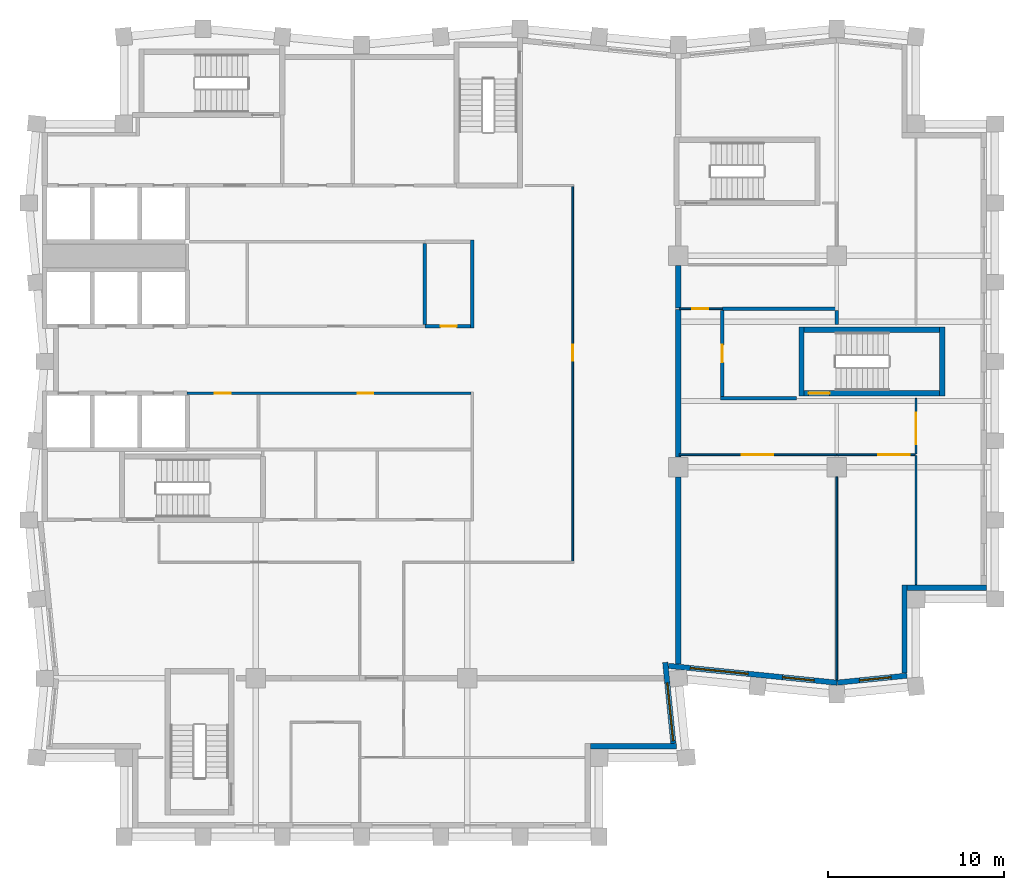
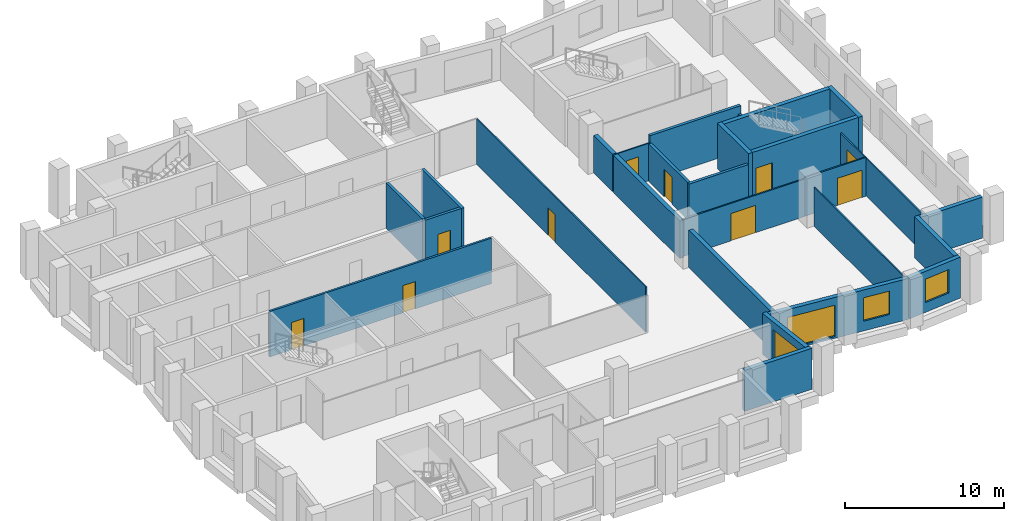
# One storey, part 4 of 7: 28 walls, 10 doors, 4 windows, 14 openings.
"""IFC4 building model written with IfcOpenShell, lengths in metres."""

from ifc_helpers import new_model, si_unit, direction, frame, frame_2d, origin, place, context, subcontext, project, spatial, rectangle, extrude, material, layer, layer_set, type_object, element, fill, save


model = new_model("IFC4")

# Units and contexts
model_context = context("Model", 3, precision=1e-05, world=origin(), true_north=direction((0.0, 1.0)))
body_context = subcontext(model_context, "Body", "Model", "MODEL_VIEW")
ifc_project = project(units=[si_unit("LENGTHUNIT", "METRE"), si_unit("AREAUNIT", "SQUARE_METRE"), si_unit("VOLUMEUNIT", "CUBIC_METRE"), si_unit("PLANEANGLEUNIT", "RADIAN"), si_unit("MASSUNIT", "GRAM", prefix="KILO")], contexts=[model_context])

# Site, building, storey
site_placement = place(None, origin())
site = spatial("IfcSite", under=ifc_project, at=site_placement, CompositionType="ELEMENT")
building_placement = place(site_placement, origin())
building = spatial("IfcBuilding", under=site, at=building_placement, Name="Brondeck Convention Tower", CompositionType="ELEMENT")
storey_placement = place(building_placement, frame((0.0, 0.0, 202.60009765625)))
storey = spatial("IfcBuildingStorey", under=building, at=storey_placement, Name="L49", CompositionType="ELEMENT", Elevation=202.60009765625)

# Walls
ifc_material_1 = material(Name="Concrete compartment wall C30/37", Category="concrete")
ifc_layer_1 = layer(ifc_material_1, 0.300048828125)
ifc_layer_set_1 = layer_set([ifc_layer_1], Name="Compartment wall 300")
wall_type_1 = type_object("IfcWallType", Name="Compartment wall 300", PredefinedType="PARTITIONING", material=ifc_layer_set_1)
wall_1_placement = place(storey_placement, frame((36.0, 27.823974609375, 0.0), z_axis=(0.0, 0.0, 1.0), x_axis=(0.0, 1.0, 0.0)))
element("IfcWall", 1, at=wall_1_placement, inside=storey, type_object=wall_type_1, Name="FLR-L49-W021", PredefinedType="PARTITIONING", context=body_context, shape_type="SweptSolid", body=[
    extrude(rectangle(XDim=10.62109375, YDim=0.300048828125, at=frame_2d((5.310546875, 0.0))), origin(), (0.0, 0.0, 1.0), 2.8798828125),
])
wall_2_placement = place(storey_placement, frame((36.0, 39.570068359375, 0.0), z_axis=(0.0, 0.0, 1.0), x_axis=(0.0, 1.0, 0.0)))
element("IfcWall", 2, at=wall_2_placement, inside=storey, type_object=wall_type_1, Name="FLR-L49-W031", PredefinedType="PARTITIONING", context=body_context, shape_type="SweptSolid", body=[
    extrude(rectangle(XDim=8.3798828125, YDim=0.300048828125, at=frame_2d((4.18994140625, 0.0))), origin(), (0.0, 0.0, 1.0), 2.8798828125),
])
wall_3_placement = place(storey_placement, frame((36.0, 48.050048828125, 0.0), z_axis=(0.0, 0.0, 1.0), x_axis=(0.0, 1.0, 0.0)))
element("IfcWall", 3, at=wall_3_placement, inside=storey, type_object=wall_type_1, Name="FLR-L49-W039", PredefinedType="PARTITIONING", context=body_context, shape_type="SweptSolid", body=[
    extrude(rectangle(XDim=2.39501953125, YDim=0.300048828125, at=frame_2d((1.197509765625, 0.0))), origin(), (0.0, 0.0, 1.0), 2.8798828125),
])
ifc_material_2 = material(Name="Concrete C50/60", Category="concrete")
ifc_layer_2 = layer(ifc_material_2, 0.199951171875)
ifc_layer_set_2 = layer_set([ifc_layer_2], Name="Core beam-seat wall 200 Concrete C50/60")
wall_type_2 = type_object("IfcWallType", Name="Core beam-seat wall 200 Concrete C50/60", PredefinedType="SHEAR", material=ifc_layer_set_2)
wall_4_placement = place(storey_placement, frame((24.300048828125, 46.89990234375, 0.0), z_axis=(0.0, 0.0, 1.0), x_axis=(0.0, 1.0, 0.0)))
element("IfcWall", 4, at=wall_4_placement, inside=storey, type_object=wall_type_2, Name="L49 core wall", PredefinedType="SHEAR", context=body_context, shape_type="SweptSolid", body=[
    extrude(rectangle(XDim=5.0, YDim=0.199951171875, at=frame_2d((2.5, 0.0))), origin(), (0.0, 0.0, 1.0), 3.5),
])

# Wall, openings, doors
ifc_material_3 = material(Name="Fire-rated gypsum board partition")
ifc_layer_3 = layer(ifc_material_3, 0.14990234375)
ifc_layer_set_3 = layer_set([ifc_layer_3], Name="Core partition 150 EI 60")
wall_type_3 = type_object("IfcWallType", Name="Core partition 150 EI 60", PredefinedType="PARTITIONING", material=ifc_layer_set_3)
wall_5_placement = place(storey_placement, frame((8.10009765625, 43.199951171875, 0.0), z_axis=(0.0, 0.0, 1.0), x_axis=(1.0, 0.0, 0.0)))
wall_5 = element("IfcWall", 5, at=wall_5_placement, inside=storey, type_object=wall_type_3, Name="L49 core wall", PredefinedType="PARTITIONING", context=body_context, shape_type="SweptSolid", body=[
    extrude(rectangle(XDim=16.125, YDim=0.14990234375, at=frame_2d((8.0625, 0.0))), origin(), (0.0, 0.0, 1.0), 3.5),
])
opening_1_placement = place(wall_5_placement, frame((1.574951171875, 0.0, 0.0)))
opening_1 = element("IfcOpeningElement", 6, at=opening_1_placement, cuts=wall_5, Name="Opening C28-09", PredefinedType="OPENING", context=body_context, shape_type="SweptSolid", body=[
    extrude(rectangle(XDim=0.89990234375, YDim=2.10009765625, at=frame_2d((0.449951171875, 1.050048828125))), frame((0.0, 0.0849609375, 0.0), z_axis=(0.0, -1.0, 0.0), x_axis=(1.0, 0.0, 0.0)), (0.0, 0.0, 1.0), 0.169921875),
])
opening_2_placement = place(wall_5_placement, frame((9.675048828125, 0.0, 0.0)))
opening_2 = element("IfcOpeningElement", 7, at=opening_2_placement, cuts=wall_5, Name="Opening C28-10", PredefinedType="OPENING", context=body_context, shape_type="SweptSolid", body=[
    extrude(rectangle(XDim=0.89990234375, YDim=2.10009765625, at=frame_2d((0.449951171875, 1.050048828125))), frame((0.0, 0.0849609375, 0.0), z_axis=(0.0, -1.0, 0.0), x_axis=(1.0, 0.0, 0.0)), (0.0, 0.0, 1.0), 0.169921875),
])
ifc_material_4 = material(Name="Steel fire door", Category="steel")
door_type_1 = type_object("IfcDoorType", Name="Room door 900x2100 EI 60", OperationType="NOTDEFINED", PredefinedType="DOOR", material=ifc_material_4)
door_1_placement = place(opening_1_placement, origin())
door_1 = element("IfcDoor", 8, at=door_1_placement, inside=storey, type_object=door_type_1, Name="L49 Room door FZ-S-8.1-1", OperationType="SINGLE_SWING_RIGHT", OverallHeight=2.10009765625, OverallWidth=0.89990234375, PredefinedType="DOOR", context=body_context, shape_type="SweptSolid", body=[
    extrude(rectangle(XDim=0.89990234375, YDim=2.10009765625, at=frame_2d((0.449951171875, 1.050048828125))), frame((0.0, 0.02490234375, 0.0), z_axis=(0.0, -1.0, 0.0), x_axis=(1.0, 0.0, 0.0)), (0.0, 0.0, 1.0), 0.050048828125),
])
fill(opening_1, door_1)
door_2_placement = place(opening_2_placement, origin())
door_2 = element("IfcDoor", 9, at=door_2_placement, inside=storey, type_object=door_type_1, Name="L49 Room door FZ-S-8.1-2", OperationType="SINGLE_SWING_LEFT", OverallHeight=2.10009765625, OverallWidth=0.89990234375, PredefinedType="DOOR", context=body_context, shape_type="SweptSolid", body=[
    extrude(rectangle(XDim=0.89990234375, YDim=2.10009765625, at=frame_2d((0.449951171875, 1.050048828125))), frame((0.0, 0.02490234375, 0.0), z_axis=(0.0, -1.0, 0.0), x_axis=(1.0, 0.0, 0.0)), (0.0, 0.0, 1.0), 0.050048828125),
])
fill(opening_2, door_2)

# Wall
ifc_material_5 = material(Name="Precast concrete C50/60 bronze finish", Category="concrete")
ifc_layer_4 = layer(ifc_material_5, 0.070068359375, Name="Bronze precast facing")
ifc_material_6 = material(Name="Mineral wool")
ifc_layer_5 = layer(ifc_material_6, 0.159912109375, Name="Insulation")
ifc_material_7 = material(Name="Concrete C35/45", Category="concrete")
ifc_layer_6 = layer(ifc_material_7, 0.070068359375, Name="Backing")
ifc_layer_set_4 = layer_set([ifc_layer_4, ifc_layer_5, ifc_layer_6], Name="External infill wall, precast concrete C50/60 bronze facing")
wall_type_4 = type_object("IfcWallType", Name="External infill wall, precast concrete C50/60 bronze facing", PredefinedType="SOLIDWALL", material=ifc_layer_set_4)
wall_6_placement = place(storey_placement, frame((35.8974609375, 23.14990234375, 0.0), z_axis=(0.0, 0.0, 1.0), x_axis=(-1.0, 0.0, 0.0)))
element("IfcWall", 10, at=wall_6_placement, inside=storey, type_object=wall_type_4, Name="ENV-EW-L49-P2-NC-SEB18-02", PredefinedType="SOLIDWALL", context=body_context, shape_type="SweptSolid", body=[
    extrude(rectangle(XDim=4.8974609375, YDim=0.300048828125, at=frame_2d((2.44873046875, 0.0))), origin(), (0.0, 0.0, 1.0), 3.14990234375),
])

# Wall, opening, window
wall_7_placement = place(storey_placement, frame((35.255859375, 27.908203125, 0.0), z_axis=(0.0, 0.0, 1.0), x_axis=(0.099535070904, -0.995034054523, 0.0)))
wall_7 = element("IfcWall", 11, at=wall_7_placement, inside=storey, type_object=wall_type_4, Name="ENV-EW-L49-P2-B-E-00", PredefinedType="SOLIDWALL", context=body_context, shape_type="SweptSolid", body=[
    extrude(rectangle(XDim=4.6259765625, YDim=0.300048828125, at=frame_2d((2.31298828125, 0.0))), origin(), (0.0, 0.0, 1.0), 3.14990234375),
])
opening_3_placement = place(wall_7_placement, frame((1.176025390625, 0.0, 0.14990234375)))
opening_3 = element("IfcOpeningElement", 12, at=opening_3_placement, cuts=wall_7, Name="Opening W9", PredefinedType="OPENING", context=body_context, shape_type="SweptSolid", body=[
    extrude(rectangle(XDim=3.300048828125, YDim=2.39990234375, at=frame_2d((1.64990234375, 1.199951171875))), frame((0.0, 0.159912109375, 0.0), z_axis=(0.0, -1.0, 0.0), x_axis=(1.0, 0.0, 0.0)), (0.0, 0.0, 1.0), 0.320068359375),
])
ifc_material_8 = material(Name="Bronze tinted double glazing", Category="glass")
window_type_1 = type_object("IfcWindowType", Name="Glazed flute window, bronze tinted", PartitioningType="SINGLE_PANEL", PredefinedType="WINDOW", material=ifc_material_8)
window_1_placement = place(opening_3_placement, origin())
window_1 = element("IfcWindow", 13, at=window_1_placement, inside=storey, type_object=window_type_1, Name="ENV-WN-L49-P2-B-E-00", OverallHeight=2.39990234375, OverallWidth=3.300048828125, PartitioningType="SINGLE_PANEL", PredefinedType="WINDOW", context=body_context, shape_type="SweptSolid", body=[
    extrude(rectangle(XDim=3.300048828125, YDim=2.39990234375, at=frame_2d((1.64990234375, 1.199951171875))), frame((0.0, 0.030029296875, 0.0), z_axis=(0.0, -1.0, 0.0), x_axis=(1.0, 0.0, 0.0)), (0.0, 0.0, 1.0), 0.06005859375),
])
fill(opening_3, window_1)

# Wall, openings, windows
wall_8_placement = place(storey_placement, frame((45.014892578125, 26.751708984375, 0.0), z_axis=(0.0, 0.0, 1.0), x_axis=(-0.9950379439, 0.099496181828, 0.0)))
wall_8 = element("IfcWall", 14, at=wall_8_placement, inside=storey, type_object=wall_type_4, Name="ENV-EW-L49-P2-A-S-00", PredefinedType="SOLIDWALL", context=body_context, shape_type="SweptSolid", body=[
    extrude(rectangle(XDim=9.621337890625, YDim=0.300048828125, at=frame_2d((4.810546875, 0.0))), origin(), (0.0, 0.0, 1.0), 3.14990234375),
])
opening_4_placement = place(wall_8_placement, frame((1.311279296875, 0.0, 0.75)))
opening_4 = element("IfcOpeningElement", 15, at=opening_4_placement, cuts=wall_8, Name="Opening W10", PredefinedType="OPENING", context=body_context, shape_type="SweptSolid", body=[
    extrude(rectangle(XDim=1.800048828125, YDim=1.800048828125, at=frame_2d((0.89990234375, 0.89990234375))), frame((0.0, 0.159912109375, 0.0), z_axis=(0.0, -1.0, 0.0), x_axis=(1.0, 0.0, 0.0)), (0.0, 0.0, 1.0), 0.320068359375),
])
opening_5_placement = place(wall_8_placement, frame((5.08349609375, 0.0, 0.14990234375)))
opening_5 = element("IfcOpeningElement", 16, at=opening_5_placement, cuts=wall_8, Name="Opening W9", PredefinedType="OPENING", context=body_context, shape_type="SweptSolid", body=[
    extrude(rectangle(XDim=3.300048828125, YDim=2.39990234375, at=frame_2d((1.64990234375, 1.199951171875))), frame((0.0, 0.159912109375, 0.0), z_axis=(0.0, -1.0, 0.0), x_axis=(1.0, 0.0, 0.0)), (0.0, 0.0, 1.0), 0.320068359375),
])
window_2_placement = place(opening_5_placement, origin())
window_2 = element("IfcWindow", 17, at=window_2_placement, inside=storey, type_object=window_type_1, Name="ENV-WN-L49-P2-A-S-00", OverallHeight=2.39990234375, OverallWidth=3.300048828125, PartitioningType="SINGLE_PANEL", PredefinedType="WINDOW", context=body_context, shape_type="SweptSolid", body=[
    extrude(rectangle(XDim=3.300048828125, YDim=2.39990234375, at=frame_2d((1.64990234375, 1.199951171875))), frame((0.0, 0.030029296875, 0.0), z_axis=(0.0, -1.0, 0.0), x_axis=(1.0, 0.0, 0.0)), (0.0, 0.0, 1.0), 0.06005859375),
])
fill(opening_5, window_2)
window_type_2 = type_object("IfcWindowType", Name="Punched window, bronze tinted", PartitioningType="SINGLE_PANEL", PredefinedType="WINDOW", material=ifc_material_8)
window_3_placement = place(opening_4_placement, origin())
window_3 = element("IfcWindow", 18, at=window_3_placement, inside=storey, type_object=window_type_2, Name="ENV-WN-L49-P2-A-S-01", OverallHeight=1.800048828125, OverallWidth=1.800048828125, PartitioningType="SINGLE_PANEL", PredefinedType="WINDOW", context=body_context, shape_type="SweptSolid", body=[
    extrude(rectangle(XDim=1.800048828125, YDim=1.800048828125, at=frame_2d((0.89990234375, 0.89990234375))), frame((0.0, 0.030029296875, 0.0), z_axis=(0.0, -1.0, 0.0), x_axis=(1.0, 0.0, 0.0)), (0.0, 0.0, 1.0), 0.06005859375),
])
fill(opening_4, window_3)

# Wall, opening, window
wall_9_placement = place(storey_placement, frame((48.985107421875, 27.151611328125, 0.0), z_axis=(0.0, 0.0, 1.0), x_axis=(-0.995037798293, -0.099497638, 0.0)))
wall_9 = element("IfcWall", 19, at=wall_9_placement, inside=storey, type_object=wall_type_4, Name="ENV-EW-L49-P2-A-S-02", PredefinedType="SOLIDWALL", context=body_context, shape_type="SweptSolid", body=[
    extrude(rectangle(XDim=3.97509765625, YDim=0.300048828125, at=frame_2d((1.987548828125, 0.0))), origin(), (0.0, 0.0, 1.0), 3.14990234375),
])
opening_6_placement = place(wall_9_placement, frame((0.90869140625, 0.0, 0.75)))
opening_6 = element("IfcOpeningElement", 20, at=opening_6_placement, cuts=wall_9, Name="Opening W10", PredefinedType="OPENING", context=body_context, shape_type="SweptSolid", body=[
    extrude(rectangle(XDim=1.800048828125, YDim=1.800048828125, at=frame_2d((0.89990234375, 0.89990234375))), frame((0.0, 0.159912109375, 0.0), z_axis=(0.0, -1.0, 0.0), x_axis=(1.0, 0.0, 0.0)), (0.0, 0.0, 1.0), 0.320068359375),
])
window_4_placement = place(opening_6_placement, origin())
window_4 = element("IfcWindow", 21, at=window_4_placement, inside=storey, type_object=window_type_2, Name="ENV-WN-L49-P2-A-S-02", OverallHeight=1.800048828125, OverallWidth=1.800048828125, PartitioningType="SINGLE_PANEL", PredefinedType="WINDOW", context=body_context, shape_type="SweptSolid", body=[
    extrude(rectangle(XDim=1.800048828125, YDim=1.800048828125, at=frame_2d((0.89990234375, 0.89990234375))), frame((0.0, 0.030029296875, 0.0), z_axis=(0.0, -1.0, 0.0), x_axis=(1.0, 0.0, 0.0)), (0.0, 0.0, 1.0), 0.06005859375),
])
fill(opening_6, window_4)

# Walls
wall_10_placement = place(storey_placement, frame((48.85009765625, 32.300048828125, 0.0), z_axis=(0.0, 0.0, 1.0), x_axis=(0.0, -1.0, 0.0)))
element("IfcWall", 22, at=wall_10_placement, inside=storey, type_object=wall_type_4, Name="ENV-EW-L49-P2-NC-SEA54-01", PredefinedType="SOLIDWALL", context=body_context, shape_type="SweptSolid", body=[
    extrude(rectangle(XDim=5.009765625, YDim=0.300048828125, at=frame_2d((2.5048828125, 0.0))), origin(), (0.0, 0.0, 1.0), 3.14990234375),
])
wall_11_placement = place(storey_placement, frame((53.5, 32.14990234375, 0.0), z_axis=(0.0, 0.0, 1.0), x_axis=(-1.0, 0.0, 0.0)))
element("IfcWall", 23, at=wall_11_placement, inside=storey, type_object=wall_type_4, Name="ENV-EW-L49-P2-NC-SEA54-02", PredefinedType="SOLIDWALL", context=body_context, shape_type="SweptSolid", body=[
    extrude(rectangle(XDim=4.501953125, YDim=0.300048828125, at=frame_2d((2.2509765625, 0.0))), origin(), (0.0, 0.0, 1.0), 3.14990234375),
])
ifc_material_9 = material(Name="Concrete block wall C16/20", Category="concrete")
ifc_layer_7 = layer(ifc_material_9, 0.199951171875)
ifc_layer_set_5 = layer_set([ifc_layer_7], Name="Plant room wall 200")
wall_type_5 = type_object("IfcWallType", Name="Plant room wall 200", PredefinedType="PARTITIONING", material=ifc_layer_set_5)
wall_12_placement = place(storey_placement, frame((38.39990234375, 42.89990234375, 0.0), z_axis=(0.0, 0.0, 1.0), x_axis=(1.0, 0.0, 0.0)))
element("IfcWall", 24, at=wall_12_placement, inside=storey, type_object=wall_type_5, Name="FLR-L49-W032", PredefinedType="PARTITIONING", context=body_context, shape_type="SweptSolid", body=[
    extrude(rectangle(XDim=4.300048828125, YDim=0.199951171875, at=frame_2d((2.14990234375, 0.0))), origin(), (0.0, 0.0, 1.0), 2.8798828125),
])

# Wall, opening, door
wall_13_placement = place(storey_placement, frame((38.5, 47.89990234375, 0.0), z_axis=(0.0, 0.0, 1.0), x_axis=(0.0, -1.0, 0.0)))
wall_13 = element("IfcWall", 25, at=wall_13_placement, inside=storey, type_object=wall_type_5, Name="FLR-L49-W035", PredefinedType="PARTITIONING", context=body_context, shape_type="SweptSolid", body=[
    extrude(rectangle(XDim=4.89990234375, YDim=0.199951171875, at=frame_2d((2.449951171875, 0.0))), origin(), (0.0, 0.0, 1.0), 2.8798828125),
])
opening_7_placement = place(wall_13_placement, frame((1.949951171875, 0.0, 0.0)))
opening_7 = element("IfcOpeningElement", 26, at=opening_7_placement, cuts=wall_13, Name="Opening OF-K2-001", PredefinedType="OPENING", context=body_context, shape_type="SweptSolid", body=[
    extrude(rectangle(XDim=1.0, YDim=2.10009765625, at=frame_2d((0.5, 1.050048828125))), frame((0.0, 0.10986328125, 0.0), z_axis=(0.0, -1.0, 0.0), x_axis=(1.0, 0.0, 0.0)), (0.0, 0.0, 1.0), 0.219970703125),
])
ifc_material_10 = material(Name="Steel fire door leaf", Category="steel")
door_type_2 = type_object("IfcDoorType", Name="Plant room door 1000", OperationType="NOTDEFINED", PredefinedType="DOOR", material=ifc_material_10)
door_3_placement = place(opening_7_placement, origin())
door_3 = element("IfcDoor", 27, at=door_3_placement, inside=storey, type_object=door_type_2, Name="Door OF-K2-001", OperationType="SINGLE_SWING_RIGHT", OverallHeight=2.10009765625, OverallWidth=1.0, PredefinedType="DOOR", context=body_context, shape_type="SweptSolid", body=[
    extrude(rectangle(XDim=1.0, YDim=2.10009765625, at=frame_2d((0.5, 1.050048828125))), frame((0.0, 0.02490234375, 0.0), z_axis=(0.0, -1.0, 0.0), x_axis=(1.0, 0.0, 0.0)), (0.0, 0.0, 1.0), 0.050048828125),
])
fill(opening_7, door_3)

# Walls
wall_14_placement = place(storey_placement, frame((45.0, 47.89990234375, 0.0), z_axis=(0.0, 0.0, 1.0), x_axis=(0.0, -1.0, 0.0)))
element("IfcWall", 28, at=wall_14_placement, inside=storey, type_object=wall_type_5, Name="FLR-L49-W036", PredefinedType="PARTITIONING", context=body_context, shape_type="SweptSolid", body=[
    extrude(rectangle(XDim=0.7998046875, YDim=0.199951171875, at=frame_2d((0.39990234375, 0.0))), origin(), (0.0, 0.0, 1.0), 2.8798828125),
])
wall_15_placement = place(storey_placement, frame((38.5, 48.0, 0.0), z_axis=(0.0, 0.0, 1.0), x_axis=(1.0, 0.0, 0.0)))
element("IfcWall", 29, at=wall_15_placement, inside=storey, type_object=wall_type_5, Name="FLR-L49-W038", PredefinedType="PARTITIONING", context=body_context, shape_type="SweptSolid", body=[
    extrude(rectangle(XDim=6.60009765625, YDim=0.199951171875, at=frame_2d((3.300048828125, 0.0))), origin(), (0.0, 0.0, 1.0), 3.47998046875),
])

# Wall, opening, door
ifc_layer_8 = layer(ifc_material_3, 0.199951171875)
ifc_layer_set_6 = layer_set([ifc_layer_8], Name="Riser wall 200 EI 120")
wall_type_6 = type_object("IfcWallType", Name="Riser wall 200 EI 120", PredefinedType="PARTITIONING", material=ifc_layer_set_6)
wall_16_placement = place(storey_placement, frame((21.60009765625, 47.0, 0.0), z_axis=(0.0, 0.0, 1.0), x_axis=(1.0, 0.0, 0.0)))
wall_16 = element("IfcWall", 30, at=wall_16_placement, inside=storey, type_object=wall_type_6, Name="L49 core wall", PredefinedType="PARTITIONING", context=body_context, shape_type="SweptSolid", body=[
    extrude(rectangle(XDim=2.599853515625, YDim=0.199951171875, at=frame_2d((1.2998046875, 0.0))), origin(), (0.0, 0.0, 1.0), 3.5),
])
opening_8_placement = place(wall_16_placement, frame((0.89990234375, 0.0, 0.0)))
opening_8 = element("IfcOpeningElement", 31, at=opening_8_placement, cuts=wall_16, Name="Opening C28-02", PredefinedType="OPENING", context=body_context, shape_type="SweptSolid", body=[
    extrude(rectangle(XDim=0.89990234375, YDim=2.10009765625, at=frame_2d((0.449951171875, 1.050048828125))), frame((0.0, 0.10986328125, 0.0), z_axis=(0.0, -1.0, 0.0), x_axis=(1.0, 0.0, 0.0)), (0.0, 0.0, 1.0), 0.219970703125),
])
door_type_3 = type_object("IfcDoorType", Name="Riser door 900x2100 EI 120", OperationType="NOTDEFINED", PredefinedType="DOOR", material=ifc_material_4)
door_4_placement = place(opening_8_placement, origin())
door_4 = element("IfcDoor", 32, at=door_4_placement, inside=storey, type_object=door_type_3, Name="L49 Riser door EN-1", OperationType="SINGLE_SWING_LEFT", OverallHeight=2.10009765625, OverallWidth=0.89990234375, PredefinedType="DOOR", context=body_context, shape_type="SweptSolid", body=[
    extrude(rectangle(XDim=0.89990234375, YDim=2.10009765625, at=frame_2d((0.449951171875, 1.050048828125))), frame((0.0, 0.02490234375, 0.0), z_axis=(0.0, -1.0, 0.0), x_axis=(1.0, 0.0, 0.0)), (0.0, 0.0, 1.0), 0.050048828125),
])
fill(opening_8, door_4)

# Walls
wall_17_placement = place(storey_placement, frame((21.60009765625, 47.10009765625, 0.0), z_axis=(0.0, 0.0, 1.0), x_axis=(0.0, 1.0, 0.0)))
element("IfcWall", 33, at=wall_17_placement, inside=storey, type_object=wall_type_6, Name="L49 core wall", PredefinedType="PARTITIONING", context=body_context, shape_type="SweptSolid", body=[
    extrude(rectangle(XDim=4.599853515625, YDim=0.199951171875, at=frame_2d((2.2998046875, 0.0))), origin(), (0.0, 0.0, 1.0), 3.5),
])
ifc_material_11 = material(Name="Gypsum board partition on steel studs", Category="steel")
ifc_layer_9 = layer(ifc_material_11, 0.10009765625)
ifc_layer_set_7 = layer_set([ifc_layer_9], Name="Room partition 100")
wall_type_7 = type_object("IfcWallType", Name="Room partition 100", PredefinedType="PARTITIONING", material=ifc_layer_set_7)
wall_18_placement = place(storey_placement, frame((49.5, 32.320068359375, 0.0), z_axis=(0.0, 0.0, 1.0), x_axis=(0.0, 1.0, 0.0)))
element("IfcWall", 34, at=wall_18_placement, inside=storey, type_object=wall_type_7, Name="FLR-L49-W023", PredefinedType="PARTITIONING", context=body_context, shape_type="SweptSolid", body=[
    extrude(rectangle(XDim=7.329833984375, YDim=0.10009765625, at=frame_2d((3.6650390625, 0.0))), origin(), (0.0, 0.0, 1.0), 2.8798828125),
])
wall_19_placement = place(storey_placement, frame((45.0, 38.445068359375, 0.0), z_axis=(0.0, 0.0, 1.0), x_axis=(0.0, -1.0, 0.0)))
element("IfcWall", 35, at=wall_19_placement, inside=storey, type_object=wall_type_7, Name="FLR-L49-W028", PredefinedType="PARTITIONING", context=body_context, shape_type="SweptSolid", body=[
    extrude(rectangle(XDim=11.52099609375, YDim=0.10009765625, at=frame_2d((5.760498046875, 0.0))), origin(), (0.0, 0.0, 1.0), 2.97998046875),
])

# Wall, opening, door
wall_20_placement = place(storey_placement, frame((45.0, 39.699951171875, 0.0), z_axis=(0.0, 0.0, 1.0), x_axis=(-1.0, 0.0, 0.0)))
wall_20 = element("IfcWall", 36, at=wall_20_placement, inside=storey, type_object=wall_type_7, Name="FLR-L49-W029", PredefinedType="PARTITIONING", context=body_context, shape_type="SweptSolid", body=[
    extrude(rectangle(XDim=8.949951171875, YDim=0.10009765625, at=frame_2d((4.47509765625, 0.0))), origin(), (0.0, 0.0, 1.0), 2.8798828125),
])
opening_9_placement = place(wall_20_placement, frame((3.60009765625, 0.0, 0.0)))
opening_9 = element("IfcOpeningElement", 37, at=opening_9_placement, cuts=wall_20, Name="Opening OF-K2-004", PredefinedType="OPENING", context=body_context, shape_type="SweptSolid", body=[
    extrude(rectangle(XDim=1.800048828125, YDim=2.10009765625, at=frame_2d((0.89990234375, 1.050048828125))), frame((0.0, 0.06005859375, 0.0), z_axis=(0.0, -1.0, 0.0), x_axis=(1.0, 0.0, 0.0)), (0.0, 0.0, 1.0), 0.1201171875),
])
ifc_material_12 = material(Name="Glazed timber double door", Category="wood")
door_type_4 = type_object("IfcDoorType", Name="Double door 1800", OperationType="DOUBLE_DOOR_SINGLE_SWING", PredefinedType="DOOR", material=ifc_material_12)
door_5_placement = place(opening_9_placement, origin())
door_5 = element("IfcDoor", 38, at=door_5_placement, inside=storey, type_object=door_type_4, Name="Door OF-K2-004", OperationType="DOUBLE_DOOR_SINGLE_SWING", OverallHeight=2.10009765625, OverallWidth=1.800048828125, PredefinedType="DOOR", context=body_context, shape_type="SweptSolid", body=[
    extrude(rectangle(XDim=1.800048828125, YDim=2.10009765625, at=frame_2d((0.89990234375, 1.050048828125))), frame((0.0, 0.02490234375, 0.0), z_axis=(0.0, -1.0, 0.0), x_axis=(1.0, 0.0, 0.0)), (0.0, 0.0, 1.0), 0.050048828125),
])
fill(opening_9, door_5)

wall_21_placement = place(storey_placement, frame((49.449951171875, 39.699951171875, 0.0), z_axis=(0.0, 0.0, 1.0), x_axis=(-1.0, 0.0, 0.0)))
wall_21 = element("IfcWall", 39, at=wall_21_placement, inside=storey, type_object=wall_type_7, Name="FLR-L49-W030", PredefinedType="PARTITIONING", context=body_context, shape_type="SweptSolid", body=[
    extrude(rectangle(XDim=4.449951171875, YDim=0.10009765625, at=frame_2d((2.22509765625, 0.0))), origin(), (0.0, 0.0, 1.0), 2.97998046875),
])
opening_10_placement = place(wall_21_placement, frame((0.303955078125, 0.0, 0.0)))
opening_10 = element("IfcOpeningElement", 40, at=opening_10_placement, cuts=wall_21, Name="Opening OF-K2-005", PredefinedType="OPENING", context=body_context, shape_type="SweptSolid", body=[
    extrude(rectangle(XDim=1.800048828125, YDim=2.10009765625, at=frame_2d((0.89990234375, 1.050048828125))), frame((0.0, 0.06005859375, 0.0), z_axis=(0.0, -1.0, 0.0), x_axis=(1.0, 0.0, 0.0)), (0.0, 0.0, 1.0), 0.1201171875),
])
door_6_placement = place(opening_10_placement, origin())
door_6 = element("IfcDoor", 41, at=door_6_placement, inside=storey, type_object=door_type_4, Name="Door OF-K2-005", OperationType="DOUBLE_DOOR_SINGLE_SWING", OverallHeight=2.10009765625, OverallWidth=1.800048828125, PredefinedType="DOOR", context=body_context, shape_type="SweptSolid", body=[
    extrude(rectangle(XDim=1.800048828125, YDim=2.10009765625, at=frame_2d((0.89990234375, 1.050048828125))), frame((0.0, 0.02490234375, 0.0), z_axis=(0.0, -1.0, 0.0), x_axis=(1.0, 0.0, 0.0)), (0.0, 0.0, 1.0), 0.050048828125),
])
fill(opening_10, door_6)

wall_22_placement = place(storey_placement, frame((49.5, 42.89990234375, 0.0), z_axis=(0.0, 0.0, 1.0), x_axis=(0.0, -1.0, 0.0)))
wall_22 = element("IfcWall", 42, at=wall_22_placement, inside=storey, type_object=wall_type_7, Name="FLR-L49-W033", PredefinedType="PARTITIONING", context=body_context, shape_type="SweptSolid", body=[
    extrude(rectangle(XDim=3.14990234375, YDim=0.10009765625, at=frame_2d((1.574951171875, 0.0))), origin(), (0.0, 0.0, 1.0), 2.8798828125),
])
opening_11_placement = place(wall_22_placement, frame((0.800048828125, 0.0, 0.0)))
opening_11 = element("IfcOpeningElement", 43, at=opening_11_placement, cuts=wall_22, Name="Opening OF-K2-003", PredefinedType="OPENING", context=body_context, shape_type="SweptSolid", body=[
    extrude(rectangle(XDim=1.800048828125, YDim=2.10009765625, at=frame_2d((0.89990234375, 1.050048828125))), frame((0.0, 0.06005859375, 0.0), z_axis=(0.0, -1.0, 0.0), x_axis=(1.0, 0.0, 0.0)), (0.0, 0.0, 1.0), 0.1201171875),
])
door_7_placement = place(opening_11_placement, origin())
door_7 = element("IfcDoor", 44, at=door_7_placement, inside=storey, type_object=door_type_4, Name="Door OF-K2-003", OperationType="DOUBLE_DOOR_SINGLE_SWING", OverallHeight=2.10009765625, OverallWidth=1.800048828125, PredefinedType="DOOR", context=body_context, shape_type="SweptSolid", body=[
    extrude(rectangle(XDim=1.800048828125, YDim=2.10009765625, at=frame_2d((0.89990234375, 1.050048828125))), frame((0.0, 0.02490234375, 0.0), z_axis=(0.0, -1.0, 0.0), x_axis=(1.0, 0.0, 0.0)), (0.0, 0.0, 1.0), 0.050048828125),
])
fill(opening_11, door_7)

wall_23_placement = place(storey_placement, frame((36.050048828125, 48.0, 0.0), z_axis=(0.0, 0.0, 1.0), x_axis=(1.0, 0.0, 0.0)))
wall_23 = element("IfcWall", 45, at=wall_23_placement, inside=storey, type_object=wall_type_7, Name="FLR-L49-W037", PredefinedType="PARTITIONING", context=body_context, shape_type="SweptSolid", body=[
    extrude(rectangle(XDim=2.449951171875, YDim=0.10009765625, at=frame_2d((1.22509765625, 0.0))), origin(), (0.0, 0.0, 1.0), 2.8798828125),
])
opening_12_placement = place(wall_23_placement, frame((0.75, 0.0, 0.0)))
opening_12 = element("IfcOpeningElement", 46, at=opening_12_placement, cuts=wall_23, Name="Opening OF-K2-006", PredefinedType="OPENING", context=body_context, shape_type="SweptSolid", body=[
    extrude(rectangle(XDim=0.89990234375, YDim=2.10009765625, at=frame_2d((0.449951171875, 1.050048828125))), frame((0.0, 0.06005859375, 0.0), z_axis=(0.0, -1.0, 0.0), x_axis=(1.0, 0.0, 0.0)), (0.0, 0.0, 1.0), 0.1201171875),
])
ifc_material_13 = material(Name="Solid timber door leaf", Category="wood")
door_type_5 = type_object("IfcDoorType", Name="Single door 900", OperationType="NOTDEFINED", PredefinedType="DOOR", material=ifc_material_13)
door_8_placement = place(opening_12_placement, origin())
door_8 = element("IfcDoor", 47, at=door_8_placement, inside=storey, type_object=door_type_5, Name="Door OF-K2-006", OperationType="SINGLE_SWING_LEFT", OverallHeight=2.10009765625, OverallWidth=0.89990234375, PredefinedType="DOOR", context=body_context, shape_type="SweptSolid", body=[
    extrude(rectangle(XDim=0.89990234375, YDim=2.10009765625, at=frame_2d((0.449951171875, 1.050048828125))), frame((0.0, 0.02490234375, 0.0), z_axis=(0.0, -1.0, 0.0), x_axis=(1.0, 0.0, 0.0)), (0.0, 0.0, 1.0), 0.050048828125),
])
fill(opening_12, door_8)

wall_24_placement = place(storey_placement, frame((30.0, 54.949951171875, 0.0), z_axis=(0.0, 0.0, 1.0), x_axis=(0.0, -1.0, 0.0)))
wall_24 = element("IfcWall", 48, at=wall_24_placement, inside=storey, type_object=wall_type_7, Name="FLR-L49-W044", PredefinedType="PARTITIONING", context=body_context, shape_type="SweptSolid", body=[
    extrude(rectangle(XDim=21.300048828125, YDim=0.10009765625, at=frame_2d((10.64990234375, 0.0))), origin(), (0.0, 0.0, 1.0), 3.47998046875),
])
opening_13_placement = place(wall_24_placement, frame((9.0, 0.0, 0.0)))
opening_13 = element("IfcOpeningElement", 49, at=opening_13_placement, cuts=wall_24, Name="Opening OF-K2-010", PredefinedType="OPENING", context=body_context, shape_type="SweptSolid", body=[
    extrude(rectangle(XDim=0.89990234375, YDim=2.10009765625, at=frame_2d((0.449951171875, 1.050048828125))), frame((0.0, 0.06005859375, 0.0), z_axis=(0.0, -1.0, 0.0), x_axis=(1.0, 0.0, 0.0)), (0.0, 0.0, 1.0), 0.1201171875),
])
door_9_placement = place(opening_13_placement, origin())
door_9 = element("IfcDoor", 50, at=door_9_placement, inside=storey, type_object=door_type_5, Name="Door OF-K2-010", OperationType="SINGLE_SWING_LEFT", OverallHeight=2.10009765625, OverallWidth=0.89990234375, PredefinedType="DOOR", context=body_context, shape_type="SweptSolid", body=[
    extrude(rectangle(XDim=0.89990234375, YDim=2.10009765625, at=frame_2d((0.449951171875, 1.050048828125))), frame((0.0, 0.02490234375, 0.0), z_axis=(0.0, -1.0, 0.0), x_axis=(1.0, 0.0, 0.0)), (0.0, 0.0, 1.0), 0.050048828125),
])
fill(opening_13, door_9)

ifc_layer_10 = layer(ifc_material_2, 0.300048828125)
ifc_layer_set_8 = layer_set([ifc_layer_10], Name="Stair enclosure wall 300 Concrete C50/60")
wall_type_8 = type_object("IfcWallType", Name="Stair enclosure wall 300 Concrete C50/60", PredefinedType="SHEAR", material=ifc_layer_set_8)
wall_25_placement = place(storey_placement, frame((43.14990234375, 43.199951171875, 0.0), z_axis=(0.0, 0.0, 1.0), x_axis=(1.0, 0.0, 0.0)))
wall_25 = element("IfcWall", 51, at=wall_25_placement, inside=storey, type_object=wall_type_8, Name="L49 core wall", PredefinedType="SHEAR", context=body_context, shape_type="SweptSolid", body=[
    extrude(rectangle(XDim=7.7001953125, YDim=0.300048828125, at=frame_2d((3.85009765625, 0.0))), origin(), (0.0, 0.0, 1.0), 3.5),
])
opening_14_placement = place(wall_25_placement, frame((0.25, 0.0, 0.0)))
opening_14 = element("IfcOpeningElement", 52, at=opening_14_placement, cuts=wall_25, Name="Opening C28-17", PredefinedType="OPENING", context=body_context, shape_type="SweptSolid", body=[
    extrude(rectangle(XDim=1.199951171875, YDim=2.199951171875, at=frame_2d((0.60009765625, 1.10009765625))), frame((0.0, 0.159912109375, 0.0), z_axis=(0.0, -1.0, 0.0), x_axis=(1.0, 0.0, 0.0)), (0.0, 0.0, 1.0), 0.320068359375),
])
door_type_6 = type_object("IfcDoorType", Name="Stair door 1200x2200 EI 90", OperationType="NOTDEFINED", PredefinedType="DOOR", material=ifc_material_4)
door_10_placement = place(opening_14_placement, origin())
door_10 = element("IfcDoor", 53, at=door_10_placement, inside=storey, type_object=door_type_6, Name="L49 Stair door ST-AF", OperationType="SINGLE_SWING_RIGHT", OverallHeight=2.199951171875, OverallWidth=1.199951171875, PredefinedType="DOOR", context=body_context, shape_type="SweptSolid", body=[
    extrude(rectangle(XDim=1.199951171875, YDim=2.199951171875, at=frame_2d((0.60009765625, 1.10009765625))), frame((0.0, 0.02490234375, 0.0), z_axis=(0.0, -1.0, 0.0), x_axis=(1.0, 0.0, 0.0)), (0.0, 0.0, 1.0), 0.050048828125),
])
fill(opening_14, door_10)

# Walls
wall_26_placement = place(storey_placement, frame((43.14990234375, 46.800048828125, 0.0), z_axis=(0.0, 0.0, 1.0), x_axis=(1.0, 0.0, 0.0)))
element("IfcWall", 54, at=wall_26_placement, inside=storey, type_object=wall_type_8, Name="L49 core wall", PredefinedType="SHEAR", context=body_context, shape_type="SweptSolid", body=[
    extrude(rectangle(XDim=7.7001953125, YDim=0.300048828125, at=frame_2d((3.85009765625, 0.0))), origin(), (0.0, 0.0, 1.0), 3.5),
])
for number, where, z_axis, x_axis, name in (
    (55, (43.0, 43.050048828125, 0.0), (0.0, 0.0, 1.0), (0.0, 1.0, 0.0), "L49 core wall"),
    (56, (51.0, 43.050048828125, 0.0), (0.0, 0.0, 1.0), (0.0, 1.0, 0.0), "L49 core wall"),
):
    element("IfcWall", number, at=place(storey_placement, frame(where, z_axis=z_axis, x_axis=x_axis)), inside=storey, type_object=wall_type_8, Name=name, PredefinedType="SHEAR", context=body_context, shape_type="SweptSolid", body=[
        extrude(rectangle(XDim=3.89990234375, YDim=0.300048828125, at=frame_2d((1.949951171875, 0.0))), origin(), (0.0, 0.0, 1.0), 3.5),
    ])

save(model, "model.ifc")
